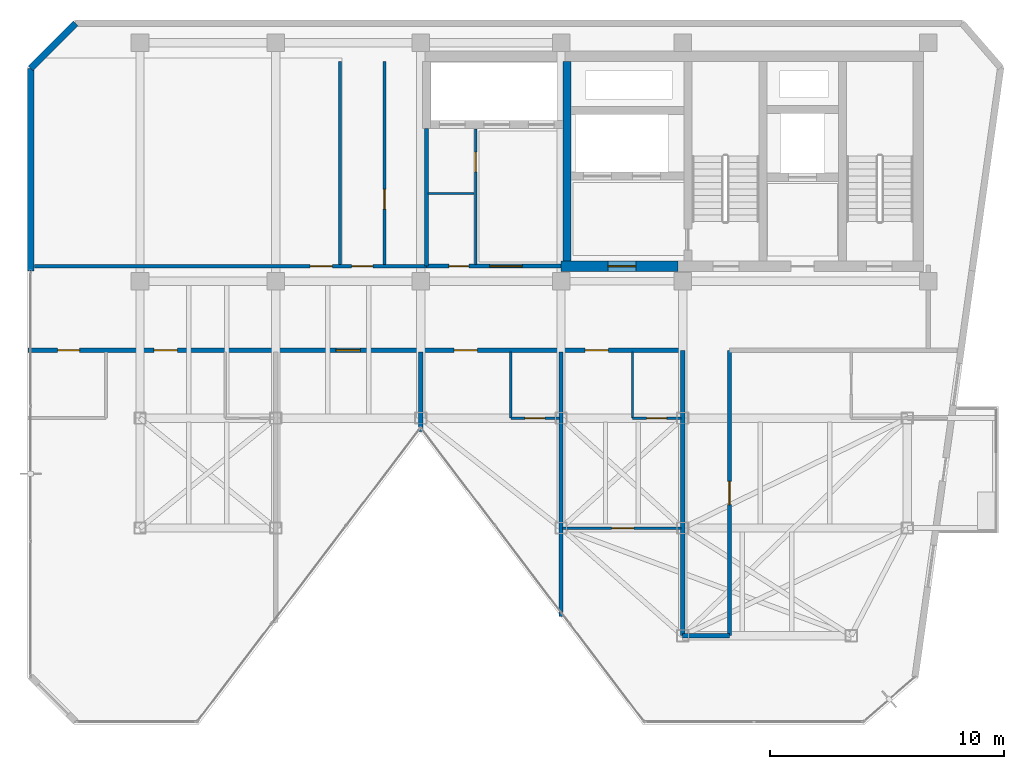
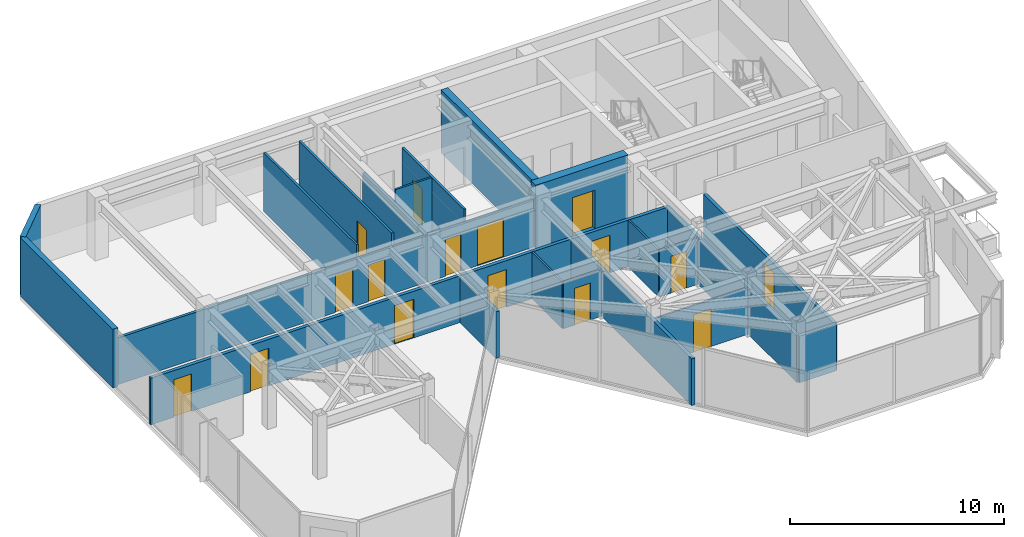
# One storey, part 15 of 19: 22 walls, 16 doors, 16 openings.
"""IFC4 building model written with IfcOpenShell, lengths in metres."""

from ifc_helpers import new_model, si_unit, direction, frame, frame_2d, origin, place, context, subcontext, project, spatial, rectangle, extrude, material, layer, layer_set, type_object, element, fill, save


model = new_model("IFC4")

# Units and contexts
model_context = context("Model", 3, precision=1e-05, world=origin(), true_north=direction((0.0, 1.0)))
body_context = subcontext(model_context, "Body", "Model", "MODEL_VIEW")
ifc_project = project(units=[si_unit("LENGTHUNIT", "METRE"), si_unit("AREAUNIT", "SQUARE_METRE"), si_unit("VOLUMEUNIT", "CUBIC_METRE"), si_unit("PLANEANGLEUNIT", "RADIAN"), si_unit("MASSUNIT", "GRAM", prefix="KILO")], contexts=[model_context])

# Site, building, storey
site_placement = place(None, origin())
site = spatial("IfcSite", under=ifc_project, at=site_placement, CompositionType="ELEMENT")
building_placement = place(site_placement, origin())
building = spatial("IfcBuilding", under=site, at=building_placement, Name="Kravanh Interchange Tower", CompositionType="ELEMENT")
storey_placement = place(building_placement, frame((0.0, 0.0, 267.0)))
storey = spatial("IfcBuildingStorey", under=building, at=storey_placement, Name="L65", CompositionType="ELEMENT", Elevation=267.0)

# Wall, opening, door
ifc_material_1 = material(Name="Double Acoustic Gypsum Board and Mineral Wool")
ifc_layer_1 = layer(ifc_material_1, 0.1201171875)
ifc_layer_set_1 = layer_set([ifc_layer_1], Name="Acoustic Office Drywall Partition 120mm")
wall_type_1 = type_object("IfcWallType", Name="Acoustic Office Drywall Partition 120mm", PredefinedType="PARTITIONING", material=ifc_layer_set_1)
wall_1_placement = place(storey_placement, frame((47.14990234375, 38.068115234375, 0.0), z_axis=(0.0, 0.0, 1.0), x_axis=(0.0, 1.0, 0.0)))
wall_1 = element("IfcWall", 1, at=wall_1_placement, inside=storey, type_object=wall_type_1, Name="L65 Interior Partition 2", PredefinedType="PARTITIONING", context=body_context, shape_type="SweptSolid", body=[
    extrude(rectangle(XDim=5.798828125, YDim=0.1201171875, at=frame_2d((2.8994140625, 0.0))), origin(), (0.0, 0.0, 1.0), 3.360107421875),
])
opening_1_placement = place(wall_1_placement, frame((3.95703125, 0.0, 0.0)))
opening_1 = element("IfcOpeningElement", 2, at=opening_1_placement, cuts=wall_1, Name="Opening D-85", PredefinedType="OPENING", context=body_context, shape_type="SweptSolid", body=[
    extrude(rectangle(XDim=0.85009765625, YDim=2.10009765625, at=frame_2d((0.425048828125, 1.050048828125))), frame((0.0, 0.070068359375, 0.0), z_axis=(0.0, -1.0, 0.0), x_axis=(1.0, 0.0, 0.0)), (0.0, 0.0, 1.0), 0.14013671875),
])
ifc_material_2 = material(Name="Engineered Teak Veneer Timber", Category="wood")
door_type_1 = type_object("IfcDoorType", Name="En-Suite Timber Door 850x2100", OperationType="NOTDEFINED", PredefinedType="DOOR", material=ifc_material_2)
door_1_placement = place(opening_1_placement, origin())
door_1 = element("IfcDoor", 3, at=door_1_placement, inside=storey, type_object=door_type_1, Name="L65 Core Valet Store Door", OperationType="SINGLE_SWING_LEFT", OverallHeight=2.10009765625, OverallWidth=0.85009765625, PredefinedType="DOOR", context=body_context, shape_type="SweptSolid", body=[
    extrude(rectangle(XDim=0.85009765625, YDim=2.10009765625, at=frame_2d((0.425048828125, 1.050048828125))), frame((0.0, 0.02490234375, 0.0), z_axis=(0.0, -1.0, 0.0), x_axis=(1.0, 0.0, 0.0)), (0.0, 0.0, 1.0), 0.050048828125),
])
fill(opening_1, door_1)

# Wall
wall_2_placement = place(storey_placement, frame((41.35009765625, 38.068115234375, 0.0), z_axis=(0.0, 0.0, 1.0), x_axis=(0.0, 1.0, 0.0)))
element("IfcWall", 4, at=wall_2_placement, inside=storey, type_object=wall_type_1, Name="L65 Interior Partition 7", PredefinedType="PARTITIONING", context=body_context, shape_type="SweptSolid", body=[
    extrude(rectangle(XDim=8.681884765625, YDim=0.1201171875, at=frame_2d((4.3408203125, 0.0))), origin(), (0.0, 0.0, 1.0), 3.360107421875),
])

# Wall, opening, door
wall_3_placement = place(storey_placement, frame((43.25, 38.068115234375, 0.0), z_axis=(0.0, 0.0, 1.0), x_axis=(0.0, 1.0, 0.0)))
wall_3 = element("IfcWall", 5, at=wall_3_placement, inside=storey, type_object=wall_type_1, Name="L65 Interior Partition 8", PredefinedType="PARTITIONING", context=body_context, shape_type="SweptSolid", body=[
    extrude(rectangle(XDim=8.681884765625, YDim=0.1201171875, at=frame_2d((4.3408203125, 0.0))), origin(), (0.0, 0.0, 1.0), 3.360107421875),
])
opening_2_placement = place(wall_3_placement, frame((2.365966796875, 0.0, 0.0)))
opening_2 = element("IfcOpeningElement", 6, at=opening_2_placement, cuts=wall_3, Name="Opening D-85", PredefinedType="OPENING", context=body_context, shape_type="SweptSolid", body=[
    extrude(rectangle(XDim=0.85009765625, YDim=2.10009765625, at=frame_2d((0.425048828125, 1.050048828125))), frame((0.0, 0.070068359375, 0.0), z_axis=(0.0, -1.0, 0.0), x_axis=(1.0, 0.0, 0.0)), (0.0, 0.0, 1.0), 0.14013671875),
])
door_2_placement = place(opening_2_placement, origin())
door_2 = element("IfcDoor", 7, at=door_2_placement, inside=storey, type_object=door_type_1, Name="L65 Pantry Store Inner Door", OperationType="SINGLE_SWING_RIGHT", OverallHeight=2.10009765625, OverallWidth=0.85009765625, PredefinedType="DOOR", context=body_context, shape_type="SweptSolid", body=[
    extrude(rectangle(XDim=0.85009765625, YDim=2.10009765625, at=frame_2d((0.425048828125, 1.050048828125))), frame((0.0, 0.02490234375, 0.0), z_axis=(0.0, -1.0, 0.0), x_axis=(1.0, 0.0, 0.0)), (0.0, 0.0, 1.0), 0.050048828125),
])
fill(opening_2, door_2)

# Wall
ifc_material_3 = material(Name="Concrete C60/75", Category="concrete")
ifc_layer_2 = layer(ifc_material_3, 0.35009765625)
ifc_layer_set_2 = layer_set([ifc_layer_2], Name="Core Shear Wall Concrete C60/75 350mm")
wall_type_2 = type_object("IfcWallType", Name="Core Shear Wall Concrete C60/75 350mm", PredefinedType="SHEAR", material=ifc_layer_set_2)
wall_4_placement = place(storey_placement, frame((51.050048828125, 38.22509765625, 0.0), z_axis=(0.0, 0.0, 1.0), x_axis=(0.0, 1.0, 0.0)))
element("IfcWall", 8, at=wall_4_placement, inside=storey, type_object=wall_type_2, Name="L65 Firefighting Lobby West Wall", PredefinedType="SHEAR", context=body_context, shape_type="SweptSolid", body=[
    extrude(rectangle(XDim=8.52490234375, YDim=0.35009765625, at=frame_2d((4.262451171875, 0.0))), origin(), (0.0, 0.0, 1.0), 3.60009765625),
])

# Wall, opening, door
ifc_material_4 = material(Name="Concrete C60/75", Category="concrete")
ifc_layer_3 = layer(ifc_material_4, 0.449951171875)
ifc_layer_set_3 = layer_set([ifc_layer_3], Name="Core Shear Wall Concrete C60/75 450mm")
wall_type_3 = type_object("IfcWallType", Name="Core Shear Wall Concrete C60/75 450mm", PredefinedType="SHEAR", material=ifc_layer_set_3)
wall_5_placement = place(storey_placement, frame((50.800048828125, 38.0, 0.0), z_axis=(0.0, 0.0, 1.0), x_axis=(1.0, 0.0, 0.0)))
wall_5 = element("IfcWall", 9, at=wall_5_placement, inside=storey, type_object=wall_type_3, Name="L65 Firefighting Lobby South Shear Wall", PredefinedType="SHEAR", context=body_context, shape_type="SweptSolid", body=[
    extrude(rectangle(XDim=5.0, YDim=0.449951171875, at=frame_2d((2.5, 0.0))), origin(), (0.0, 0.0, 1.0), 3.60009765625),
])
opening_3_placement = place(wall_5_placement, frame((2.0, 0.0, 0.0)))
opening_3 = element("IfcOpeningElement", 10, at=opening_3_placement, cuts=wall_5, Name="Opening D-FSAE-120", PredefinedType="OPENING", context=body_context, shape_type="SweptSolid", body=[
    extrude(rectangle(XDim=1.199951171875, YDim=2.199951171875, at=frame_2d((0.60009765625, 1.10009765625))), frame((0.0, 0.23486328125, 0.0), z_axis=(0.0, -1.0, 0.0), x_axis=(1.0, 0.0, 0.0)), (0.0, 0.0, 1.0), 0.469970703125),
])
ifc_material_5 = material(Name="Structural Steel S355", Category="steel")
door_type_2 = type_object("IfcDoorType", Name="Fire-Rated Refuge and FSAE Door 1200x2200", OperationType="NOTDEFINED", PredefinedType="DOOR", material=ifc_material_5)
door_3_placement = place(opening_3_placement, origin())
door_3 = element("IfcDoor", 11, at=door_3_placement, inside=storey, type_object=door_type_2, Name="L65 Firefighting Lobby Corridor Door", OperationType="SINGLE_SWING_RIGHT", OverallHeight=2.199951171875, OverallWidth=1.199951171875, PredefinedType="DOOR", context=body_context, shape_type="SweptSolid", body=[
    extrude(rectangle(XDim=1.199951171875, YDim=2.199951171875, at=frame_2d((0.60009765625, 1.10009765625))), frame((0.0, 0.02490234375, 0.0), z_axis=(0.0, -1.0, 0.0), x_axis=(1.0, 0.0, 0.0)), (0.0, 0.0, 1.0), 0.050048828125),
])
fill(opening_3, door_3)

# Walls
ifc_material_6 = material(Name="Moisture-Resistant Gypsum Board and Mineral Wool")
ifc_layer_4 = layer(ifc_material_6, 0.10009765625)
ifc_layer_set_4 = layer_set([ifc_layer_4], Name="En-Suite Moisture-Resistant Partition 100mm")
wall_type_4 = type_object("IfcWallType", Name="En-Suite Moisture-Resistant Partition 100mm", PredefinedType="PARTITIONING", material=ifc_layer_set_4)
wall_6_placement = place(storey_placement, frame((45.117919921875, 41.10009765625, 0.0), z_axis=(0.0, 0.0, 1.0), x_axis=(1.0, 0.0, 0.0)))
element("IfcWall", 12, at=wall_6_placement, inside=storey, type_object=wall_type_4, Name="L65 Interior Partition 3", PredefinedType="PARTITIONING", context=body_context, shape_type="SweptSolid", body=[
    extrude(rectangle(XDim=1.964111328125, YDim=0.10009765625, at=frame_2d((0.98193359375, 0.0))), origin(), (0.0, 0.0, 1.0), 3.360107421875),
])
wall_7_placement = place(storey_placement, frame((48.64990234375, 31.5, 0.0), z_axis=(0.0, 0.0, 1.0), x_axis=(0.0, 1.0, 0.0)))
element("IfcWall", 13, at=wall_7_placement, inside=storey, type_object=wall_type_4, Name="L65 Interior Partition 23", PredefinedType="PARTITIONING", context=body_context, shape_type="SweptSolid", body=[
    extrude(rectangle(XDim=2.83203125, YDim=0.10009765625, at=frame_2d((1.416015625, 0.0))), origin(), (0.0, 0.0, 1.0), 2.6640625),
])

# Wall, opening, door
wall_8_placement = place(storey_placement, frame((48.64990234375, 31.5, 0.0), z_axis=(0.0, 0.0, 1.0), x_axis=(1.0, 0.0, 0.0)))
wall_8 = element("IfcWall", 14, at=wall_8_placement, inside=storey, type_object=wall_type_4, Name="L65 Interior Partition 24", PredefinedType="PARTITIONING", context=body_context, shape_type="SweptSolid", body=[
    extrude(rectangle(XDim=2.08203125, YDim=0.10009765625, at=frame_2d((1.041015625, 0.0))), origin(), (0.0, 0.0, 1.0), 2.6640625),
])
opening_4_placement = place(wall_8_placement, frame((0.607421875, 0.0, 0.0)))
opening_4 = element("IfcOpeningElement", 15, at=opening_4_placement, cuts=wall_8, Name="Opening D-85", PredefinedType="OPENING", context=body_context, shape_type="SweptSolid", body=[
    extrude(rectangle(XDim=0.85009765625, YDim=2.10009765625, at=frame_2d((0.425048828125, 1.050048828125))), frame((0.0, 0.06005859375, 0.0), z_axis=(0.0, -1.0, 0.0), x_axis=(1.0, 0.0, 0.0)), (0.0, 0.0, 1.0), 0.1201171875),
])
door_4_placement = place(opening_4_placement, origin())
door_4 = element("IfcDoor", 16, at=door_4_placement, inside=storey, type_object=door_type_1, Name="L65 En-suite Bathroom Door", OperationType="SINGLE_SWING_RIGHT", OverallHeight=2.10009765625, OverallWidth=0.85009765625, PredefinedType="DOOR", context=body_context, shape_type="SweptSolid", body=[
    extrude(rectangle(XDim=0.85009765625, YDim=2.10009765625, at=frame_2d((0.425048828125, 1.050048828125))), frame((0.0, 0.02490234375, 0.0), z_axis=(0.0, -1.0, 0.0), x_axis=(1.0, 0.0, 0.0)), (0.0, 0.0, 1.0), 0.050048828125),
])
fill(opening_4, door_4)

wall_9_placement = place(storey_placement, frame((50.867919921875, 26.800048828125, 0.0), z_axis=(0.0, 0.0, 1.0), x_axis=(1.0, 0.0, 0.0)))
wall_9 = element("IfcWall", 17, at=wall_9_placement, inside=storey, type_object=wall_type_4, Name="L65 Interior Partition 26", PredefinedType="PARTITIONING", context=body_context, shape_type="SweptSolid", body=[
    extrude(rectangle(XDim=5.06396484375, YDim=0.10009765625, at=frame_2d((2.531982421875, 0.0))), origin(), (0.0, 0.0, 1.0), 2.6640625),
])
opening_5_placement = place(wall_9_placement, frame((2.09716796875, 0.0, 0.0)))
opening_5 = element("IfcOpeningElement", 18, at=opening_5_placement, cuts=wall_9, Name="Opening D-95", PredefinedType="OPENING", context=body_context, shape_type="SweptSolid", body=[
    extrude(rectangle(XDim=0.949951171875, YDim=2.14990234375, at=frame_2d((0.47509765625, 1.074951171875))), frame((0.0, 0.06005859375, 0.0), z_axis=(0.0, -1.0, 0.0), x_axis=(1.0, 0.0, 0.0)), (0.0, 0.0, 1.0), 0.1201171875),
])
ifc_material_7 = material(Name="Laminate Solid-Core Timber", Category="wood")
door_type_3 = type_object("IfcDoorType", Name="Accessible Restroom Door 950x2150", OperationType="NOTDEFINED", PredefinedType="DOOR", material=ifc_material_7)
door_5_placement = place(opening_5_placement, origin())
door_5 = element("IfcDoor", 19, at=door_5_placement, inside=storey, type_object=door_type_3, Name="L65 Sunroom Alcove Inner Door", OperationType="SINGLE_SWING_LEFT", OverallHeight=2.14990234375, OverallWidth=0.949951171875, PredefinedType="DOOR", context=body_context, shape_type="SweptSolid", body=[
    extrude(rectangle(XDim=0.949951171875, YDim=2.14990234375, at=frame_2d((0.47509765625, 1.074951171875))), frame((0.0, 0.02490234375, 0.0), z_axis=(0.0, -1.0, 0.0), x_axis=(1.0, 0.0, 0.0)), (0.0, 0.0, 1.0), 0.050048828125),
])
fill(opening_5, door_5)

# Wall
wall_10_placement = place(storey_placement, frame((53.85009765625, 31.5, 0.0), z_axis=(0.0, 0.0, 1.0), x_axis=(0.0, 1.0, 0.0)))
element("IfcWall", 20, at=wall_10_placement, inside=storey, type_object=wall_type_4, Name="L65 Interior Partition 27", PredefinedType="PARTITIONING", context=body_context, shape_type="SweptSolid", body=[
    extrude(rectangle(XDim=2.83203125, YDim=0.10009765625, at=frame_2d((1.416015625, 0.0))), origin(), (0.0, 0.0, 1.0), 2.6640625),
])

# Wall, opening, door
wall_11_placement = place(storey_placement, frame((53.85009765625, 31.5, 0.0), z_axis=(0.0, 0.0, 1.0), x_axis=(1.0, 0.0, 0.0)))
wall_11 = element("IfcWall", 21, at=wall_11_placement, inside=storey, type_object=wall_type_4, Name="L65 Interior Partition 28", PredefinedType="PARTITIONING", context=body_context, shape_type="SweptSolid", body=[
    extrude(rectangle(XDim=2.081787109375, YDim=0.10009765625, at=frame_2d((1.041015625, 0.0))), origin(), (0.0, 0.0, 1.0), 2.6640625),
])
opening_6_placement = place(wall_11_placement, frame((0.607421875, 0.0, 0.0)))
opening_6 = element("IfcOpeningElement", 22, at=opening_6_placement, cuts=wall_11, Name="Opening D-85", PredefinedType="OPENING", context=body_context, shape_type="SweptSolid", body=[
    extrude(rectangle(XDim=0.85009765625, YDim=2.10009765625, at=frame_2d((0.425048828125, 1.050048828125))), frame((0.0, 0.06005859375, 0.0), z_axis=(0.0, -1.0, 0.0), x_axis=(1.0, 0.0, 0.0)), (0.0, 0.0, 1.0), 0.1201171875),
])
door_6_placement = place(opening_6_placement, origin())
door_6 = element("IfcDoor", 23, at=door_6_placement, inside=storey, type_object=door_type_1, Name="L65 En-suite Bathroom Door", OperationType="SINGLE_SWING_LEFT", OverallHeight=2.10009765625, OverallWidth=0.85009765625, PredefinedType="DOOR", context=body_context, shape_type="SweptSolid", body=[
    extrude(rectangle(XDim=0.85009765625, YDim=2.10009765625, at=frame_2d((0.425048828125, 1.050048828125))), frame((0.0, 0.02490234375, 0.0), z_axis=(0.0, -1.0, 0.0), x_axis=(1.0, 0.0, 0.0)), (0.0, 0.0, 1.0), 0.050048828125),
])
fill(opening_6, door_6)

# Walls
ifc_material_8 = material(Name="Insulated Precast Concrete C40/50 with Bronze Cladding", Category="concrete")
ifc_layer_5 = layer(ifc_material_8, 0.280029296875)
ifc_layer_set_5 = layer_set([ifc_layer_5], Name="Exterior Insulated Concrete C40/50 Bronze Spandrel Wall 280mm")
wall_type_5 = type_object("IfcWallType", Name="Exterior Insulated Concrete C40/50 Bronze Spandrel Wall 280mm", PredefinedType="STANDARD", material=ifc_layer_set_5)
wall_12_placement = place(storey_placement, frame((28.1201171875, 37.800048828125, 0.0), z_axis=(0.0, 0.0, 1.0), x_axis=(0.0, 1.0, 0.0)))
element("IfcWall", 24, at=wall_12_placement, inside=storey, type_object=wall_type_5, Name="L65 Exterior Wall 1", PredefinedType="STANDARD", context=body_context, shape_type="SweptSolid", body=[
    extrude(rectangle(XDim=8.650146484375, YDim=0.280029296875, at=frame_2d((4.3251953125, 0.0))), origin(), (0.0, 0.0, 1.0), 3.360107421875),
])
wall_13_placement = place(storey_placement, frame((28.1201171875, 46.4501953125, 0.0), z_axis=(0.0, 0.0, 1.0), x_axis=(0.707106781187, 0.707106781187, 0.0)))
element("IfcWall", 25, at=wall_13_placement, inside=storey, type_object=wall_type_5, Name="L65 Exterior Wall 2", PredefinedType="STANDARD", context=body_context, shape_type="SweptSolid", body=[
    extrude(rectangle(XDim=2.72900390625, YDim=0.280029296875, at=frame_2d((1.364501953125, 0.0))), origin(), (0.0, 0.0, 1.0), 3.360107421875),
])

# Wall, openings, doors
ifc_material_9 = material(Name="Autoclaved Aerated Concrete C30/37 Blockwork", Category="masonry")
ifc_layer_6 = layer(ifc_material_9, 0.179931640625)
ifc_layer_set_6 = layer_set([ifc_layer_6], Name="Fire-Rated Lobby and Corridor Wall Concrete C30/37 180mm")
wall_type_6 = type_object("IfcWallType", Name="Fire-Rated Lobby and Corridor Wall Concrete C30/37 180mm", PredefinedType="STANDARD", material=ifc_layer_set_6)
wall_14_placement = place(storey_placement, frame((45.050048828125, 38.0, 0.0), z_axis=(0.0, 0.0, 1.0), x_axis=(1.0, 0.0, 0.0)))
wall_14 = element("IfcWall", 26, at=wall_14_placement, inside=storey, type_object=wall_type_6, Name="L65 High-Rise Lift Lobby Wall 1", PredefinedType="STANDARD", context=body_context, shape_type="SweptSolid", body=[
    extrude(rectangle(XDim=5.75, YDim=0.179931640625, at=frame_2d((2.875, 0.0))), origin(), (0.0, 0.0, 1.0), 2.6640625),
])
opening_7_placement = place(wall_14_placement, frame((0.9541015625, 0.0, 0.0)))
opening_7 = element("IfcOpeningElement", 27, at=opening_7_placement, cuts=wall_14, Name="Opening D-85", PredefinedType="OPENING", context=body_context, shape_type="SweptSolid", body=[
    extrude(rectangle(XDim=0.85009765625, YDim=2.10009765625, at=frame_2d((0.425048828125, 1.050048828125))), frame((0.0, 0.10009765625, 0.0), z_axis=(0.0, -1.0, 0.0), x_axis=(1.0, 0.0, 0.0)), (0.0, 0.0, 1.0), 0.199951171875),
])
opening_8_placement = place(wall_14_placement, frame((2.699951171875, 0.0, 0.0)))
opening_8 = element("IfcOpeningElement", 28, at=opening_8_placement, cuts=wall_14, Name="Opening DBL-140", PredefinedType="OPENING", context=body_context, shape_type="SweptSolid", body=[
    extrude(rectangle(XDim=1.39990234375, YDim=2.199951171875, at=frame_2d((0.699951171875, 1.10009765625))), frame((0.0, 0.10009765625, 0.0), z_axis=(0.0, -1.0, 0.0), x_axis=(1.0, 0.0, 0.0)), (0.0, 0.0, 1.0), 0.199951171875),
])
door_7_placement = place(opening_7_placement, origin())
door_7 = element("IfcDoor", 29, at=door_7_placement, inside=storey, type_object=door_type_1, Name="L65 Core Housekeeping Utility Door", OperationType="SINGLE_SWING_RIGHT", OverallHeight=2.10009765625, OverallWidth=0.85009765625, PredefinedType="DOOR", context=body_context, shape_type="SweptSolid", body=[
    extrude(rectangle(XDim=0.85009765625, YDim=2.10009765625, at=frame_2d((0.425048828125, 1.050048828125))), frame((0.0, 0.02490234375, 0.0), z_axis=(0.0, -1.0, 0.0), x_axis=(1.0, 0.0, 0.0)), (0.0, 0.0, 1.0), 0.050048828125),
])
fill(opening_7, door_7)
ifc_material_10 = material(Name="Acoustic Bronze-Framed Glass", Category="glass")
door_type_4 = type_object("IfcDoorType", Name="Hospitality Lounge Double Door 1400x2200", OperationType="DOUBLE_DOOR_SINGLE_SWING", PredefinedType="DOOR", material=ifc_material_10)
door_8_placement = place(opening_8_placement, origin())
door_8 = element("IfcDoor", 30, at=door_8_placement, inside=storey, type_object=door_type_4, Name="L65 High-Rise Lift Lobby Door", OperationType="DOUBLE_DOOR_SINGLE_SWING", OverallHeight=2.199951171875, OverallWidth=1.39990234375, PredefinedType="DOOR", context=body_context, shape_type="SweptSolid", body=[
    extrude(rectangle(XDim=1.39990234375, YDim=2.199951171875, at=frame_2d((0.699951171875, 1.10009765625))), frame((0.0, 0.02490234375, 0.0), z_axis=(0.0, -1.0, 0.0), x_axis=(1.0, 0.0, 0.0)), (0.0, 0.0, 1.0), 0.050048828125),
])
fill(opening_8, door_8)

# Wall
wall_15_placement = place(storey_placement, frame((45.050048828125, 38.0, 0.0), z_axis=(0.0, 0.0, 1.0), x_axis=(0.0, 1.0, 0.0)))
element("IfcWall", 31, at=wall_15_placement, inside=storey, type_object=wall_type_6, Name="L65 Interior Partition 4", PredefinedType="STANDARD", context=body_context, shape_type="SweptSolid", body=[
    extrude(rectangle(XDim=5.875, YDim=0.179931640625, at=frame_2d((2.9375, 0.0))), origin(), (0.0, 0.0, 1.0), 2.6640625),
])

# Wall, openings, doors
wall_16_placement = place(storey_placement, frame((28.014892578125, 34.39990234375, 0.0), z_axis=(0.0, 0.0, 1.0), x_axis=(1.0, 0.0, 0.0)))
wall_16 = element("IfcWall", 32, at=wall_16_placement, inside=storey, type_object=wall_type_6, Name="L65 Interior Partition 9", PredefinedType="STANDARD", context=body_context, shape_type="SweptSolid", body=[
    extrude(rectangle(XDim=27.985107421875, YDim=0.179931640625, at=frame_2d((13.99267578125, 0.0))), origin(), (0.0, 0.0, 1.0), 2.6640625),
])
opening_9_placement = place(wall_16_placement, frame((1.25927734375, 0.0, 0.0)))
opening_9 = element("IfcOpeningElement", 33, at=opening_9_placement, cuts=wall_16, Name="Opening D-95", PredefinedType="OPENING", context=body_context, shape_type="SweptSolid", body=[
    extrude(rectangle(XDim=0.949951171875, YDim=2.14990234375, at=frame_2d((0.47509765625, 1.074951171875))), frame((0.0, 0.10009765625, 0.0), z_axis=(0.0, -1.0, 0.0), x_axis=(1.0, 0.0, 0.0)), (0.0, 0.0, 1.0), 0.199951171875),
])
opening_10_placement = place(wall_16_placement, frame((5.3798828125, 0.0, 0.0)))
opening_10 = element("IfcOpeningElement", 34, at=opening_10_placement, cuts=wall_16, Name="Opening D-HOTEL-100", PredefinedType="OPENING", context=body_context, shape_type="SweptSolid", body=[
    extrude(rectangle(XDim=1.0, YDim=2.14990234375, at=frame_2d((0.5, 1.074951171875))), frame((0.0, 0.10009765625, 0.0), z_axis=(0.0, -1.0, 0.0), x_axis=(1.0, 0.0, 0.0)), (0.0, 0.0, 1.0), 0.199951171875),
])
opening_11_placement = place(wall_16_placement, frame((13.159912109375, 0.0, 0.0)))
opening_11 = element("IfcOpeningElement", 35, at=opening_11_placement, cuts=wall_16, Name="Opening D-105", PredefinedType="OPENING", context=body_context, shape_type="SweptSolid", body=[
    extrude(rectangle(XDim=1.050048828125, YDim=2.199951171875, at=frame_2d((0.52490234375, 1.10009765625))), frame((0.0, 0.10009765625, 0.0), z_axis=(0.0, -1.0, 0.0), x_axis=(1.0, 0.0, 0.0)), (0.0, 0.0, 1.0), 0.199951171875),
])
opening_12_placement = place(wall_16_placement, frame((18.2099609375, 0.0, 0.0)))
opening_12 = element("IfcOpeningElement", 36, at=opening_12_placement, cuts=wall_16, Name="Opening D-HOTEL-100", PredefinedType="OPENING", context=body_context, shape_type="SweptSolid", body=[
    extrude(rectangle(XDim=1.0, YDim=2.14990234375, at=frame_2d((0.5, 1.074951171875))), frame((0.0, 0.10009765625, 0.0), z_axis=(0.0, -1.0, 0.0), x_axis=(1.0, 0.0, 0.0)), (0.0, 0.0, 1.0), 0.199951171875),
])
opening_13_placement = place(wall_16_placement, frame((23.81005859375, 0.0, 0.0)))
opening_13 = element("IfcOpeningElement", 37, at=opening_13_placement, cuts=wall_16, Name="Opening D-HOTEL-100", PredefinedType="OPENING", context=body_context, shape_type="SweptSolid", body=[
    extrude(rectangle(XDim=1.0, YDim=2.14990234375, at=frame_2d((0.5, 1.074951171875))), frame((0.0, 0.10009765625, 0.0), z_axis=(0.0, -1.0, 0.0), x_axis=(1.0, 0.0, 0.0)), (0.0, 0.0, 1.0), 0.199951171875),
])
door_9_placement = place(opening_9_placement, origin())
door_9 = element("IfcDoor", 38, at=door_9_placement, inside=storey, type_object=door_type_3, Name="L65 Accessible WC Door", OperationType="SINGLE_SWING_LEFT", OverallHeight=2.14990234375, OverallWidth=0.949951171875, PredefinedType="DOOR", context=body_context, shape_type="SweptSolid", body=[
    extrude(rectangle(XDim=0.949951171875, YDim=2.14990234375, at=frame_2d((0.47509765625, 1.074951171875))), frame((0.0, 0.02490234375, 0.0), z_axis=(0.0, -1.0, 0.0), x_axis=(1.0, 0.0, 0.0)), (0.0, 0.0, 1.0), 0.050048828125),
])
fill(opening_9, door_9)
ifc_material_11 = material(Name="Fire-Rated Solid Timber Leaf", Category="wood")
door_type_5 = type_object("IfcDoorType", Name="Fire-Rated Suite Entrance Door 1000x2150", OperationType="NOTDEFINED", PredefinedType="DOOR", material=ifc_material_11)
door_10_placement = place(opening_10_placement, origin())
door_10 = element("IfcDoor", 39, at=door_10_placement, inside=storey, type_object=door_type_5, Name="L65 Diplomatic Hotel Suite Entrance Door", OperationType="SINGLE_SWING_RIGHT", OverallHeight=2.14990234375, OverallWidth=1.0, PredefinedType="DOOR", context=body_context, shape_type="SweptSolid", body=[
    extrude(rectangle(XDim=1.0, YDim=2.14990234375, at=frame_2d((0.5, 1.074951171875))), frame((0.0, 0.02490234375, 0.0), z_axis=(0.0, -1.0, 0.0), x_axis=(1.0, 0.0, 0.0)), (0.0, 0.0, 1.0), 0.050048828125),
])
fill(opening_10, door_10)
door_11_placement = place(opening_12_placement, origin())
door_11 = element("IfcDoor", 40, at=door_11_placement, inside=storey, type_object=door_type_5, Name="L65 Royal Hotel Suite Entrance Door", OperationType="SINGLE_SWING_LEFT", OverallHeight=2.14990234375, OverallWidth=1.0, PredefinedType="DOOR", context=body_context, shape_type="SweptSolid", body=[
    extrude(rectangle(XDim=1.0, YDim=2.14990234375, at=frame_2d((0.5, 1.074951171875))), frame((0.0, 0.02490234375, 0.0), z_axis=(0.0, -1.0, 0.0), x_axis=(1.0, 0.0, 0.0)), (0.0, 0.0, 1.0), 0.050048828125),
])
fill(opening_12, door_11)
door_12_placement = place(opening_13_placement, origin())
door_12 = element("IfcDoor", 41, at=door_12_placement, inside=storey, type_object=door_type_5, Name="L65 Hotel Guest Room E Entrance Door", OperationType="SINGLE_SWING_RIGHT", OverallHeight=2.14990234375, OverallWidth=1.0, PredefinedType="DOOR", context=body_context, shape_type="SweptSolid", body=[
    extrude(rectangle(XDim=1.0, YDim=2.14990234375, at=frame_2d((0.5, 1.074951171875))), frame((0.0, 0.02490234375, 0.0), z_axis=(0.0, -1.0, 0.0), x_axis=(1.0, 0.0, 0.0)), (0.0, 0.0, 1.0), 0.050048828125),
])
fill(opening_13, door_12)
ifc_material_12 = material(Name="Acoustic Glazed Oak and Aluminium", Category="aluminium")
door_type_6 = type_object("IfcDoorType", Name="Office Workplace Door 1050x2200", OperationType="NOTDEFINED", PredefinedType="DOOR", material=ifc_material_12)
door_13_placement = place(opening_11_placement, origin())
door_13 = element("IfcDoor", 42, at=door_13_placement, inside=storey, type_object=door_type_6, Name="L65 Protocol Meeting Room 1 Door", OperationType="SINGLE_SWING_RIGHT", OverallHeight=2.199951171875, OverallWidth=1.050048828125, PredefinedType="DOOR", context=body_context, shape_type="SweptSolid", body=[
    extrude(rectangle(XDim=1.050048828125, YDim=2.199951171875, at=frame_2d((0.52490234375, 1.10009765625))), frame((0.0, 0.02490234375, 0.0), z_axis=(0.0, -1.0, 0.0), x_axis=(1.0, 0.0, 0.0)), (0.0, 0.0, 1.0), 0.050048828125),
])
fill(opening_11, door_13)

# Wall
wall_17_placement = place(storey_placement, frame((56.0, 22.199951171875, 0.0), z_axis=(0.0, 0.0, 1.0), x_axis=(0.0, 1.0, 0.0)))
element("IfcWall", 43, at=wall_17_placement, inside=storey, type_object=wall_type_6, Name="L65 Interior Partition 12", PredefinedType="STANDARD", context=body_context, shape_type="SweptSolid", body=[
    extrude(rectangle(XDim=12.199951171875, YDim=0.179931640625, at=frame_2d((6.10009765625, 0.0))), origin(), (0.0, 0.0, 1.0), 2.6640625),
])

# Wall, opening, door
wall_18_placement = place(storey_placement, frame((58.0, 22.199951171875, 0.0), z_axis=(0.0, 0.0, 1.0), x_axis=(0.0, 1.0, 0.0)))
wall_18 = element("IfcWall", 44, at=wall_18_placement, inside=storey, type_object=wall_type_6, Name="L65 Interior Partition 13", PredefinedType="STANDARD", context=body_context, shape_type="SweptSolid", body=[
    extrude(rectangle(XDim=12.199951171875, YDim=0.179931640625, at=frame_2d((6.10009765625, 0.0))), origin(), (0.0, 0.0, 1.0), 2.6640625),
])
opening_14_placement = place(wall_18_placement, frame((5.60009765625, 0.0, 0.0)))
opening_14 = element("IfcOpeningElement", 45, at=opening_14_placement, cuts=wall_18, Name="Opening D-HOTEL-100", PredefinedType="OPENING", context=body_context, shape_type="SweptSolid", body=[
    extrude(rectangle(XDim=1.0, YDim=2.14990234375, at=frame_2d((0.5, 1.074951171875))), frame((0.0, 0.10009765625, 0.0), z_axis=(0.0, -1.0, 0.0), x_axis=(1.0, 0.0, 0.0)), (0.0, 0.0, 1.0), 0.199951171875),
])
door_14_placement = place(opening_14_placement, origin())
door_14 = element("IfcDoor", 46, at=door_14_placement, inside=storey, type_object=door_type_5, Name="L65 Ambassador Balcony Hotel Suite Entrance Door", OperationType="SINGLE_SWING_RIGHT", OverallHeight=2.14990234375, OverallWidth=1.0, PredefinedType="DOOR", context=body_context, shape_type="SweptSolid", body=[
    extrude(rectangle(XDim=1.0, YDim=2.14990234375, at=frame_2d((0.5, 1.074951171875))), frame((0.0, 0.02490234375, 0.0), z_axis=(0.0, -1.0, 0.0), x_axis=(1.0, 0.0, 0.0)), (0.0, 0.0, 1.0), 0.050048828125),
])
fill(opening_14, door_14)

# Walls
wall_19_placement = place(storey_placement, frame((56.0, 22.199951171875, 0.0), z_axis=(0.0, 0.0, 1.0), x_axis=(1.0, 0.0, 0.0)))
element("IfcWall", 47, at=wall_19_placement, inside=storey, type_object=wall_type_6, Name="L65 Interior Partition 14", PredefinedType="STANDARD", context=body_context, shape_type="SweptSolid", body=[
    extrude(rectangle(XDim=2.0, YDim=0.179931640625, at=frame_2d((1.0, 0.0))), origin(), (0.0, 0.0, 1.0), 2.6640625),
])
wall_20_placement = place(storey_placement, frame((44.800048828125, 30.9248046875, 0.0), z_axis=(0.0, 0.0, 1.0), x_axis=(0.0, 1.0, 0.0)))
element("IfcWall", 48, at=wall_20_placement, inside=storey, type_object=wall_type_6, Name="L65 Interior Partition 22", PredefinedType="STANDARD", context=body_context, shape_type="SweptSolid", body=[
    extrude(rectangle(XDim=3.4072265625, YDim=0.179931640625, at=frame_2d((1.70361328125, 0.0))), origin(), (0.0, 0.0, 1.0), 2.6640625),
])
wall_21_placement = place(storey_placement, frame((50.800048828125, 23.030029296875, 0.0), z_axis=(0.0, 0.0, 1.0), x_axis=(0.0, 1.0, 0.0)))
element("IfcWall", 49, at=wall_21_placement, inside=storey, type_object=wall_type_6, Name="L65 Interior Partition 25", PredefinedType="STANDARD", context=body_context, shape_type="SweptSolid", body=[
    extrude(rectangle(XDim=11.302001953125, YDim=0.179931640625, at=frame_2d((5.65087890625, 0.0))), origin(), (0.0, 0.0, 1.0), 2.6640625),
])

# Wall, openings, doors
ifc_material_13 = material(Name="Twin Stud Acoustic Gypsum Board Wall")
ifc_layer_7 = layer(ifc_material_13, 0.14990234375)
ifc_layer_set_7 = layer_set([ifc_layer_7], Name="Medium-Duty Acoustic Partition 150mm")
wall_type_7 = type_object("IfcWallType", Name="Medium-Duty Acoustic Partition 150mm", PredefinedType="PARTITIONING", material=ifc_layer_set_7)
wall_22_placement = place(storey_placement, frame((28.284912109375, 38.0, 0.0), z_axis=(0.0, 0.0, 1.0), x_axis=(1.0, 0.0, 0.0)))
wall_22 = element("IfcWall", 50, at=wall_22_placement, inside=storey, type_object=wall_type_7, Name="L65 Interior Partition 5", PredefinedType="PARTITIONING", context=body_context, shape_type="SweptSolid", body=[
    extrude(rectangle(XDim=16.76513671875, YDim=0.14990234375, at=frame_2d((8.382568359375, 0.0))), origin(), (0.0, 0.0, 1.0), 2.6640625),
])
opening_15_placement = place(wall_22_placement, frame((11.7900390625, 0.0, 0.0)))
opening_15 = element("IfcOpeningElement", 51, at=opening_15_placement, cuts=wall_22, Name="Opening D-95", PredefinedType="OPENING", context=body_context, shape_type="SweptSolid", body=[
    extrude(rectangle(XDim=0.949951171875, YDim=2.14990234375, at=frame_2d((0.47509765625, 1.074951171875))), frame((0.0, 0.0849609375, 0.0), z_axis=(0.0, -1.0, 0.0), x_axis=(1.0, 0.0, 0.0)), (0.0, 0.0, 1.0), 0.169921875),
])
opening_16_placement = place(wall_22_placement, frame((13.56494140625, 0.0, 0.0)))
opening_16 = element("IfcOpeningElement", 52, at=opening_16_placement, cuts=wall_22, Name="Opening D-90", PredefinedType="OPENING", context=body_context, shape_type="SweptSolid", body=[
    extrude(rectangle(XDim=0.89990234375, YDim=2.10009765625, at=frame_2d((0.449951171875, 1.050048828125))), frame((0.0, 0.0849609375, 0.0), z_axis=(0.0, -1.0, 0.0), x_axis=(1.0, 0.0, 0.0)), (0.0, 0.0, 1.0), 0.169921875),
])
door_15_placement = place(opening_15_placement, origin())
door_15 = element("IfcDoor", 53, at=door_15_placement, inside=storey, type_object=door_type_3, Name="L65 North Library Lounge Door", OperationType="SINGLE_SWING_RIGHT", OverallHeight=2.14990234375, OverallWidth=0.949951171875, PredefinedType="DOOR", context=body_context, shape_type="SweptSolid", body=[
    extrude(rectangle(XDim=0.949951171875, YDim=2.14990234375, at=frame_2d((0.47509765625, 1.074951171875))), frame((0.0, 0.02490234375, 0.0), z_axis=(0.0, -1.0, 0.0), x_axis=(1.0, 0.0, 0.0)), (0.0, 0.0, 1.0), 0.050048828125),
])
fill(opening_15, door_15)
ifc_material_14 = material(Name="Painted Solid-Core Timber", Category="wood")
door_type_7 = type_object("IfcDoorType", Name="Service Room Door 900x2100", OperationType="NOTDEFINED", PredefinedType="DOOR", material=ifc_material_14)
door_16_placement = place(opening_16_placement, origin())
door_16 = element("IfcDoor", 54, at=door_16_placement, inside=storey, type_object=door_type_7, Name="L65 Housekeeping Room Door", OperationType="SINGLE_SWING_LEFT", OverallHeight=2.10009765625, OverallWidth=0.89990234375, PredefinedType="DOOR", context=body_context, shape_type="SweptSolid", body=[
    extrude(rectangle(XDim=0.89990234375, YDim=2.10009765625, at=frame_2d((0.449951171875, 1.050048828125))), frame((0.0, 0.02490234375, 0.0), z_axis=(0.0, -1.0, 0.0), x_axis=(1.0, 0.0, 0.0)), (0.0, 0.0, 1.0), 0.050048828125),
])
fill(opening_16, door_16)

save(model, "model.ifc")
